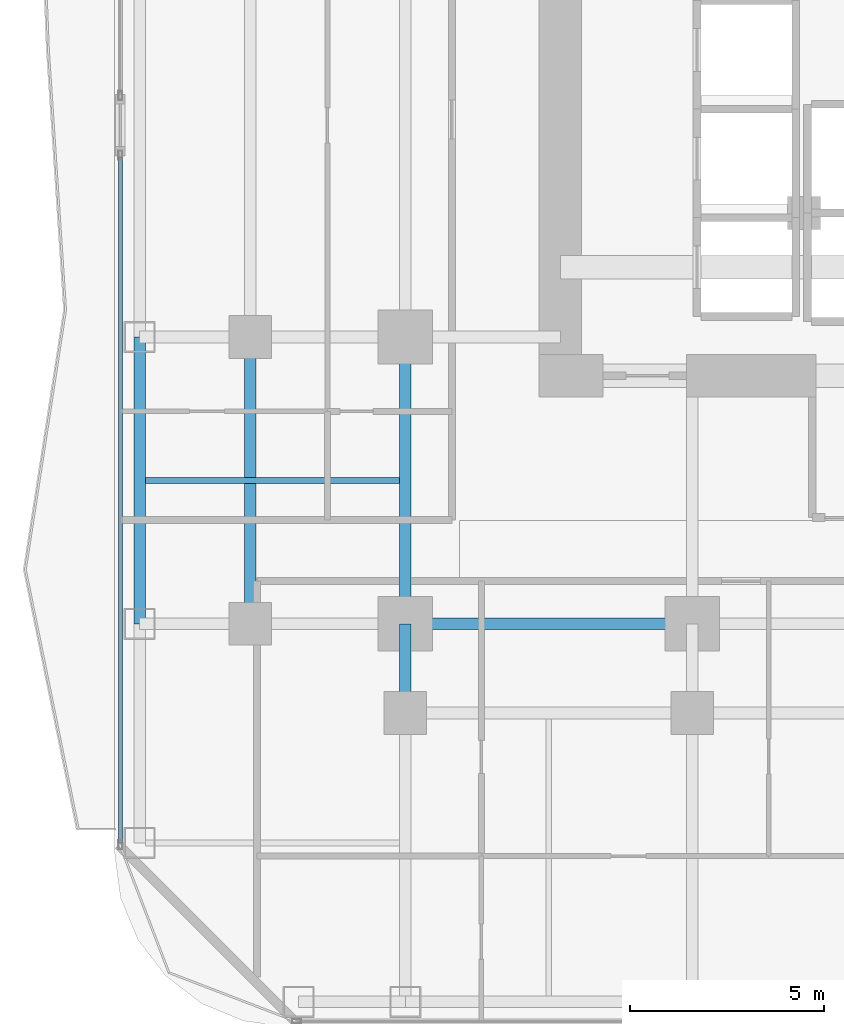
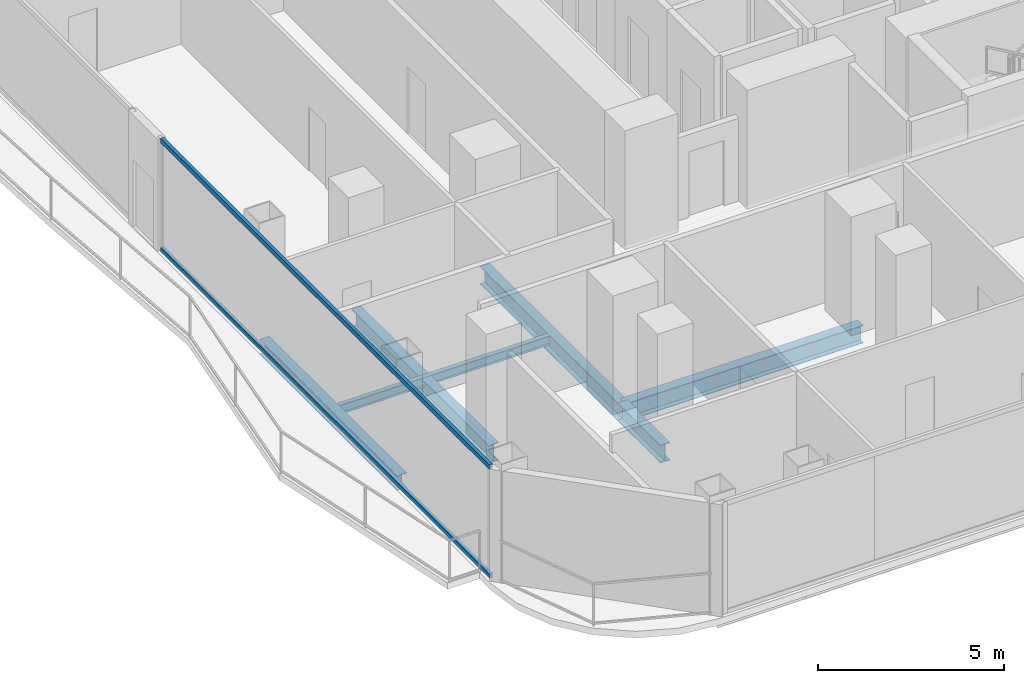
# One storey, part 3 of 27: 6 beams, 2 members, 1 element without a shape of its own.
"""IFC4 building model written with IfcOpenShell, lengths in metres."""

import ifcopenshell
import ifcopenshell.guid

model = None  # the IFC model being written
_history = None  # IfcOwnerHistory: only IFC2X3 demands one
_inside = {}  # id of a spatial element -> (the spatial element, [elements in it])
_under = {}  # id of a project, library or spatial element -> (it, [spatial elements below it])
_declared = {}  # id of a project -> (the project, [libraries it declares])
_typed = {}  # id of a type object -> (the type object, [elements of that type])
_made_of = {}  # id of a material, layer set ... -> (it, [elements and type objects made of it])


def new_model(schema):
    """Start an empty IFC model of exactly this schema.

    Asked for "IFC4X3", IfcOpenShell would pick the latest addendum, in which some entities
    have other attributes; the version numbers below select the first issue.
    IFC2X3 requires an IfcOwnerHistory on every rooted entity: one is made here for all.
    """
    global model, _history
    if schema == "IFC4X3":
        model = ifcopenshell.file(schema_version=(4, 3, 0, 0))
    else:
        model = ifcopenshell.file(schema=schema)
    _inside.clear()
    _under.clear()
    _declared.clear()
    _typed.clear()
    _made_of.clear()
    _history = None
    if model.schema == "IFC2X3":
        org = make("IfcOrganization", Name="unknown")
        user = make(
            "IfcPersonAndOrganization",
            ThePerson=make("IfcPerson", FamilyName="unknown"),
            TheOrganization=org,
        )
        app = make(
            "IfcApplication",
            ApplicationDeveloper=org,
            Version="unknown",
            ApplicationFullName="unknown",
            ApplicationIdentifier="unknown",
        )
        _history = make(
            "IfcOwnerHistory",
            OwningUser=user,
            OwningApplication=app,
            ChangeAction="ADDED",
            CreationDate=0,
        )
    return model


def make(cls, **values):
    """One entity of the class cls with the attributes given. An attribute that is None is left unset."""
    return model.create_entity(
        cls, **{name: value for name, value in values.items() if value is not None}
    )


def rooted(cls, **values):
    """An entity with a GlobalId (a new one), such as an element, a storey or a relation."""
    return make(cls, GlobalId=ifcopenshell.guid.new(), OwnerHistory=_history, **values)


def si_unit(unit_type, name, prefix=None):
    """IfcSIUnit, for example si_unit("LENGTHUNIT", "METRE", prefix="MILLI")."""
    return make("IfcSIUnit", UnitType=unit_type, Prefix=prefix, Name=name)


def assignment(units):
    """IfcUnitAssignment: the units of a project."""
    return None if units is None else make("IfcUnitAssignment", Units=units)


def point(xyz):
    """IfcCartesianPoint."""
    return None if xyz is None else make("IfcCartesianPoint", Coordinates=xyz)


def direction(xyz):
    """IfcDirection."""
    return None if xyz is None else make("IfcDirection", DirectionRatios=xyz)


def frame(location, z_axis=None, x_axis=None):
    """IfcAxis2Placement3D, a coordinate frame: its origin and axes. An axis left out is left unset."""
    return make(
        "IfcAxis2Placement3D",
        Location=point(location),
        Axis=direction(z_axis),
        RefDirection=direction(x_axis),
    )


def frame_2d(location, x_axis=None):
    """IfcAxis2Placement2D, a coordinate frame in the plane: its origin and x axis."""
    return make(
        "IfcAxis2Placement2D", Location=point(location), RefDirection=direction(x_axis)
    )


def origin():
    """The frame at (0, 0, 0) with its axes left unset."""
    return frame((0.0, 0.0, 0.0))


def origin_2d():
    """The frame at (0, 0) in the plane with its x axis left unset."""
    return frame_2d((0.0, 0.0))


def place(relative_to, where):
    """IfcLocalPlacement: puts the frame where relative to a parent placement (None: the world)."""
    return make(
        "IfcLocalPlacement", PlacementRelTo=relative_to, RelativePlacement=where
    )


def context(
    kind, dimensions, precision=None, world=None, true_north=None, identifier=None
):
    """IfcGeometricRepresentationContext, for example the 3D "Model" context."""
    return make(
        "IfcGeometricRepresentationContext",
        ContextIdentifier=identifier,
        ContextType=kind,
        CoordinateSpaceDimension=dimensions,
        Precision=precision,
        WorldCoordinateSystem=world,
        TrueNorth=true_north,
    )


def subcontext(parent, identifier, kind, view, scale=None):
    """IfcGeometricRepresentationSubContext, for example "Body" below "Model"."""
    return make(
        "IfcGeometricRepresentationSubContext",
        ContextIdentifier=identifier,
        ContextType=kind,
        ParentContext=parent,
        TargetScale=scale,
        TargetView=view,
    )


def project(units=None, contexts=None):
    """IfcProject with its units and contexts."""
    return rooted(
        "IfcProject",
        Name="project",
        RepresentationContexts=contexts,
        UnitsInContext=assignment(units),
    )


def spatial(cls, under=None, at=None, **own):
    """A site, building, storey or space (cls), placed at a placement, below another one or the project."""
    s = rooted(cls, ObjectPlacement=at, **own)
    if under is not None:
        _under.setdefault(under.id(), (under, []))[1].append(s)
    return s


def profile(cls, at=None, kind="AREA", **sizes):
    """A parametric profile (cls). Its sizes go by their IFC names, for example OverallWidth=200.0."""
    return make(cls, ProfileType=kind, Position=at, **sizes)


def hollow_rectangle(**sizes):
    """IfcRectangleHollowProfileDef."""
    return profile("IfcRectangleHollowProfileDef", **sizes)


def i_section(**sizes):
    """IfcIShapeProfileDef."""
    return profile("IfcIShapeProfileDef", **sizes)


def extrude(swept, where, along, depth):
    """IfcExtrudedAreaSolid: the profile swept, set in the frame where, extruded along a direction by depth."""
    return make(
        "IfcExtrudedAreaSolid",
        SweptArea=swept,
        Position=where,
        ExtrudedDirection=direction(along),
        Depth=depth,
    )


def shape(context_of_items, identifier, shape_type, items):
    """IfcShapeRepresentation: the items that make up one representation, for example the "Body"."""
    return make(
        "IfcShapeRepresentation",
        ContextOfItems=context_of_items,
        RepresentationIdentifier=identifier,
        RepresentationType=shape_type,
        Items=items,
    )


def material(Name=None, Category=None):
    """IfcMaterial."""
    return make("IfcMaterial", Name=Name, Category=Category)


def layer(
    of_material, thickness, ventilated=None, Name=None, Category=None, Priority=None
):
    """IfcMaterialLayer: one layer of a wall or slab, of a material (None: an air gap)."""
    return make(
        "IfcMaterialLayer",
        Material=of_material,
        LayerThickness=thickness,
        IsVentilated=ventilated,
        Name=Name,
        Category=Category,
        Priority=Priority,
    )


def layer_set(layers, Name=None):
    """IfcMaterialLayerSet."""
    return make("IfcMaterialLayerSet", MaterialLayers=layers, LayerSetName=Name)


def material_profile(
    of_material, cross_section, Name=None, Category=None, Priority=None
):
    """IfcMaterialProfile: a cross section and its material."""
    return make(
        "IfcMaterialProfile",
        Name=Name,
        Material=of_material,
        Profile=cross_section,
        Priority=Priority,
        Category=Category,
    )


def profile_set(profiles, Name=None, composite=None):
    """IfcMaterialProfileSet."""
    return make(
        "IfcMaterialProfileSet",
        Name=Name,
        MaterialProfiles=profiles,
        CompositeProfile=composite,
    )


def made_of(thing, what):
    """Note that an element or type object is made of a material, layer set ...; save() writes the relation."""
    if what is not None:
        _made_of.setdefault(what.id(), (what, []))[1].append(thing)
    return thing


def type_object(cls, material=None, **own):
    """A type object (cls), such as IfcWallType, which elements share."""
    return made_of(rooted(cls, **own), material)


def element(
    cls,
    number,
    at=None,
    inside=None,
    cuts=None,
    type_object=None,
    material=None,
    context=None,
    identifier="Body",
    shape_type=None,
    held_by="IfcProductDefinitionShape",
    body=None,
    shapes=None,
    **own,
):
    """One element of the class cls, such as IfcWall. Its Tag is "e" and its number.

    at: its placement. inside: the storey or other place that contains it. cuts: it is an
    opening in that element (IfcRelVoidsElement). A single representation is given by context,
    identifier, shape_type and body (its items); several are given by shapes. held_by: the class
    of the entity that holds the representations. save() writes the other relations.
    """
    e = rooted(cls, Tag="e%d" % number, ObjectPlacement=at, **own)
    if body is not None:
        shapes = [shape(context, identifier, shape_type, body)]
    if shapes is not None:
        e.Representation = make(held_by, Representations=shapes)
    if inside is not None:
        _inside.setdefault(inside.id(), (inside, []))[1].append(e)
    if cuts is not None:
        rooted(
            "IfcRelVoidsElement", RelatingBuildingElement=cuts, RelatedOpeningElement=e
        )
    if type_object is not None:
        _typed.setdefault(type_object.id(), (type_object, []))[1].append(e)
    return made_of(e, material)


def aggregate(whole, parts):
    """IfcRelAggregates: a whole, such as a stair, and the parts it consists of."""
    return rooted("IfcRelAggregates", RelatingObject=whole, RelatedObjects=parts)


def save(model, path):
    """Write the relations noted so far, then the file.

    IfcRelAggregates (storeys below a building ...), IfcRelContainedInSpatialStructure (elements
    in a storey), IfcRelDefinesByType, IfcRelAssociatesMaterial and IfcRelDeclares: one each for
    every whole, place, type object, material and project.
    """
    for whole, parts in _under.values():
        aggregate(whole, parts)
    for where, things in _inside.values():
        rooted(
            "IfcRelContainedInSpatialStructure",
            RelatedElements=things,
            RelatingStructure=where,
        )
    for kind, things in _typed.values():
        rooted("IfcRelDefinesByType", RelatedObjects=things, RelatingType=kind)
    for what, things in _made_of.values():
        rooted("IfcRelAssociatesMaterial", RelatedObjects=things, RelatingMaterial=what)
    for by, libraries in _declared.values():
        rooted("IfcRelDeclares", RelatingContext=by, RelatedDefinitions=libraries)
    model.write(path)


model = new_model("IFC4")

# Units and contexts
model_context = context("Model", 3, precision=1e-05, world=origin(), true_north=direction((0.0, 1.0)))
body_context = subcontext(model_context, "Body", "Model", "MODEL_VIEW")
ifc_project = project(units=[si_unit("LENGTHUNIT", "METRE"), si_unit("AREAUNIT", "SQUARE_METRE"), si_unit("VOLUMEUNIT", "CUBIC_METRE"), si_unit("PLANEANGLEUNIT", "RADIAN"), si_unit("MASSUNIT", "GRAM", prefix="KILO")], contexts=[model_context])

# Site, building, storey
site_placement = place(None, origin())
site = spatial("IfcSite", under=ifc_project, at=site_placement, CompositionType="ELEMENT")
building_placement = place(site_placement, origin())
building = spatial("IfcBuilding", under=site, at=building_placement, Name="Khorvyn Point Tower", CompositionType="ELEMENT")
storey_placement = place(building_placement, frame((0.0, 0.0, 46.199951171875)))
storey = spatial("IfcBuildingStorey", under=building, at=storey_placement, Name="L12", CompositionType="ELEMENT", Elevation=46.199951171875)

# Curtain wall, members
ifc_material_1 = material(Name="Anodised aluminium 6063-T6 and laminated Low-E glass", Category="aluminium")
ifc_layer = layer(ifc_material_1, 0.18994140625)
ifc_layer_set = layer_set([ifc_layer], Name="Stick-Built Finned Residential Curtain Wall CW-SYS-02")
curtain_wall_type = type_object("IfcCurtainWallType", Name="Stick-Built Finned Residential Curtain Wall CW-SYS-02", PredefinedType="NOTDEFINED", material=ifc_layer_set)
curtain_wall_placement = place(storey_placement, origin())
curtain_wall = element("IfcCurtainWall", 1, at=curtain_wall_placement, inside=storey, type_object=curtain_wall_type, Name="Curtain Wall", PredefinedType="NOTDEFINED")
ifc_material_2 = material(Name="Anodised aluminium 6063-T6", Category="aluminium")
ifc_material_profile_1 = material_profile(ifc_material_2, hollow_rectangle(XDim=0.10009765625, YDim=0.159912109375, WallThickness=0.00439453125, at=origin_2d()))
ifc_profile_set_1 = profile_set([ifc_material_profile_1], Name="Anodised aluminium 6063-T6 ALU-TRN-100x160")
member_type = type_object("IfcMemberType", Name="Anodised Aluminium 6063-T6 Transom ALU-TRN-100x160", PredefinedType="USERDEFINED", material=ifc_profile_set_1)
member_1_placement = place(storey_placement, frame((-22.14990234375, -20.449951171875, 0.050048828125), z_axis=(0.0, 1.0, 0.0), x_axis=(-1.0, 0.0, 0.0)))
member_1 = element("IfcMember", 2, at=member_1_placement, type_object=member_type, Name="Transom", ObjectType="TRANSOM", PredefinedType="USERDEFINED", context=body_context, shape_type="SweptSolid", body=[
    extrude(hollow_rectangle(XDim=0.10009765625, YDim=0.159912109375, WallThickness=0.00439453125, at=origin_2d()), origin(), (0.0, 0.0, 1.0), 17.68798828125),
])
member_2_placement = place(storey_placement, frame((-22.14990234375, -20.449951171875, 3.630126953125), z_axis=(0.0, 1.0, 0.0), x_axis=(-1.0, 0.0, 0.0)))
member_2 = element("IfcMember", 3, at=member_2_placement, type_object=member_type, Name="Transom", ObjectType="TRANSOM", PredefinedType="USERDEFINED", context=body_context, shape_type="SweptSolid", body=[
    extrude(hollow_rectangle(XDim=0.10009765625, YDim=0.159912109375, WallThickness=0.00439453125, at=origin_2d()), origin(), (0.0, 0.0, 1.0), 17.68798828125),
])
aggregate(curtain_wall, [member_1, member_2])

# Beams
ifc_material_3 = material(Name="Steel S355", Category="steel")
ifc_material_profile_2 = material_profile(ifc_material_3, i_section(OverallWidth=0.300048828125, OverallDepth=0.587890625, WebThickness=0.011962890625, FlangeThickness=0.02001953125, at=origin_2d()))
ifc_profile_set_2 = profile_set([ifc_material_profile_2], Name="Steel S355 H588x300x12x20")
beam_type_1 = type_object("IfcBeamType", Name="Steel S355 Beam H588x300x12x20", PredefinedType="BEAM", material=ifc_profile_set_2)
beam_1_placement = place(storey_placement, frame((-14.800048828125, -14.800048828125, -0.513916015625), z_axis=(1.0, 0.0, 0.0), x_axis=(0.0, 1.0, 0.0)))
element("IfcBeam", 4, at=beam_1_placement, inside=storey, type_object=beam_type_1, Name="Beam", PredefinedType="BEAM", context=body_context, shape_type="SweptSolid", body=[
    extrude(i_section(OverallWidth=0.300048828125, OverallDepth=0.587890625, WebThickness=0.011962890625, FlangeThickness=0.02001953125, at=origin_2d()), origin(), (0.0, 0.0, 1.0), 7.400146484375),
])
beam_2_placement = place(storey_placement, frame((-14.800048828125, -17.10009765625, -0.513916015625), z_axis=(0.0, 1.0, 0.0), x_axis=(-1.0, 0.0, 0.0)))
element("IfcBeam", 5, at=beam_2_placement, inside=storey, type_object=beam_type_1, Name="Beam", PredefinedType="BEAM", context=body_context, shape_type="SweptSolid", body=[
    extrude(i_section(OverallWidth=0.300048828125, OverallDepth=0.587890625, WebThickness=0.011962890625, FlangeThickness=0.02001953125, at=origin_2d()), origin(), (0.0, 0.0, 1.0), 2.300048828125),
])
for number, where, z_axis, x_axis, name in (
    (6, (-14.800048828125, -14.800048828125, -0.513916015625), (0.0, 1.0, 0.0), (-1.0, 0.0, 0.0), "Beam"),
    (7, (-18.800048828125, -14.800048828125, -0.513916015625), (0.0, 1.0, 0.0), (-1.0, 0.0, 0.0), "Beam"),
):
    element("IfcBeam", number, at=place(storey_placement, frame(where, z_axis=z_axis, x_axis=x_axis)), inside=storey, type_object=beam_type_1, Name=name, PredefinedType="BEAM", context=body_context, shape_type="SweptSolid", body=[
        extrude(i_section(OverallWidth=0.300048828125, OverallDepth=0.587890625, WebThickness=0.011962890625, FlangeThickness=0.02001953125, at=origin_2d()), origin(), (0.0, 0.0, 1.0), 7.400146484375),
    ])
ifc_material_profile_3 = material_profile(ifc_material_3, i_section(OverallWidth=0.14990234375, OverallDepth=0.300048828125, WebThickness=0.006591796875, FlangeThickness=0.009033203125, at=origin_2d()))
ifc_profile_set_3 = profile_set([ifc_material_profile_3], Name="Steel S355 H300x150x6.5x9")
beam_type_2 = type_object("IfcBeamType", Name="Steel S355 Joist H300x150x6.5x9", PredefinedType="JOIST", material=ifc_profile_set_3)
beam_3_placement = place(storey_placement, frame((-21.5, -11.10009765625, -0.369873046875), z_axis=(1.0, 0.0, 0.0), x_axis=(0.0, 1.0, 0.0)))
element("IfcBeam", 8, at=beam_3_placement, inside=storey, type_object=beam_type_2, Name="Beam", PredefinedType="JOIST", context=body_context, shape_type="SweptSolid", body=[
    extrude(i_section(OverallWidth=0.14990234375, OverallDepth=0.300048828125, WebThickness=0.006591796875, FlangeThickness=0.009033203125, at=origin_2d()), origin(), (0.0, 0.0, 1.0), 6.550048828125),
])
ifc_material_profile_4 = material_profile(ifc_material_3, i_section(OverallWidth=0.300048828125, OverallDepth=0.488037109375, WebThickness=0.010986328125, FlangeThickness=0.01806640625, at=origin_2d()))
ifc_profile_set_4 = profile_set([ifc_material_profile_4], Name="Steel S355 H488x300x11x18")
beam_type_3 = type_object("IfcBeamType", Name="Steel S355 Spandrel H488x300x11x18", PredefinedType="SPANDREL", material=ifc_profile_set_4)
beam_4_placement = place(storey_placement, frame((-21.64990234375, -14.800048828125, -0.4638671875), z_axis=(0.0, 1.0, 0.0), x_axis=(-1.0, 0.0, 0.0)))
element("IfcBeam", 9, at=beam_4_placement, inside=storey, type_object=beam_type_3, Name="Beam", PredefinedType="SPANDREL", context=body_context, shape_type="SweptSolid", body=[
    extrude(i_section(OverallWidth=0.300048828125, OverallDepth=0.488037109375, WebThickness=0.010986328125, FlangeThickness=0.01806640625, at=origin_2d()), origin(), (0.0, 0.0, 1.0), 7.400146484375),
])

save(model, "model.ifc")
